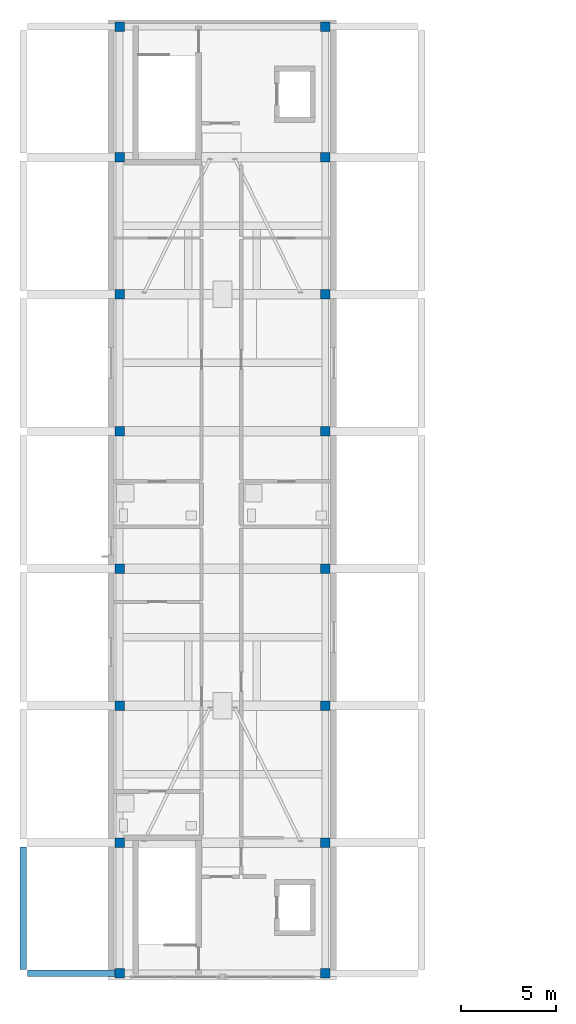
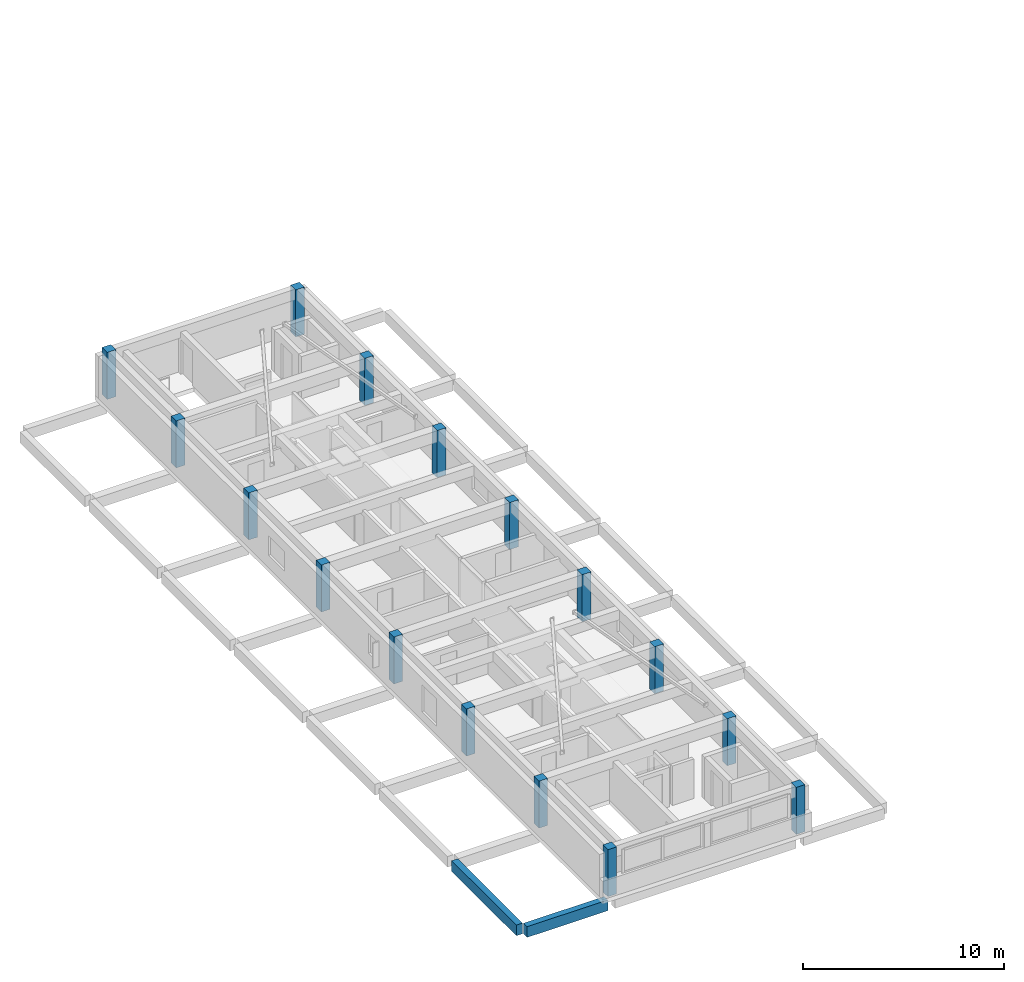
# One storey, part 1 of 9: 16 columns, 2 beams.
"""IFC4 building model written with IfcOpenShell, lengths in metres."""

from ifc_helpers import new_model, si_unit, derived_unit, direction, frame, origin, origin_2d, place, context, subcontext, project, spatial, rectangle, extrude, material, material_profile, profile_set, type_object, element, save


model = new_model("IFC4")

# Units and contexts
model_context = context("Model", 3, precision=1e-05, world=origin(), true_north=direction((0.0, 1.0)))
body_context = subcontext(model_context, "Body", "Model", "MODEL_VIEW")
ifc_project = project(units=[si_unit("LENGTHUNIT", "METRE"), si_unit("AREAUNIT", "SQUARE_METRE"), si_unit("VOLUMEUNIT", "CUBIC_METRE"), si_unit("PLANEANGLEUNIT", "RADIAN"), si_unit("MASSUNIT", "GRAM", prefix="KILO"), derived_unit("THERMALTRANSMITTANCEUNIT", [(si_unit("MASSUNIT", "GRAM", prefix="KILO"), 1), (si_unit("TIMEUNIT", "SECOND"), -3), (si_unit("THERMODYNAMICTEMPERATUREUNIT", "KELVIN"), -1)])], contexts=[model_context])

# Site, building, storey
site_placement = place(None, origin())
site = spatial("IfcSite", under=ifc_project, at=site_placement, CompositionType="ELEMENT")
building_placement = place(site_placement, origin())
building = spatial("IfcBuilding", under=site, at=building_placement, Name="Ochrekiln Boulevard Commons", CompositionType="ELEMENT")
storey_placement = place(building_placement, frame((0.0, 0.0, 46.72509765625)))
storey = spatial("IfcBuildingStorey", under=building, at=storey_placement, Name="L14", CompositionType="ELEMENT", Elevation=46.72509765625)

# Columns
ifc_material_1 = material(Name="Concrete C35/45", Category="concrete")
ifc_material_profile_1 = material_profile(ifc_material_1, rectangle(XDim=0.5, YDim=0.5, at=origin_2d()), Name="RC-COL-500x500")
ifc_profile_set_1 = profile_set([ifc_material_profile_1], Name="Concrete C35/45")
column_type = type_object("IfcColumnType", Name="COL-RC-500", PredefinedType="COLUMN", material=ifc_profile_set_1)
for number, where, z_axis, x_axis, name in (
    (1, (5.39990234375, 68.75, 0.0), (0.0, 0.0, 1.0), (1.0, 0.0, 0.0), "Block A L14 Column C-500 (9)"),
    (2, (5.39990234375, 75.60009765625, 0.0), (0.0, 0.0, 1.0), (1.0, 0.0, 0.0), "Block A L14 Column C-500 (10)"),
    (3, (5.39990234375, 82.800048828125, 0.0), (0.0, 0.0, 1.0), (1.0, 0.0, 0.0), "Block A L14 Column C-500 (11)"),
    (4, (5.39990234375, 90.0, 0.0), (0.0, 0.0, 1.0), (1.0, 0.0, 0.0), "Block A L14 Column C-500 (12)"),
    (5, (5.39990234375, 97.199951171875, 0.0), (0.0, 0.0, 1.0), (1.0, 0.0, 0.0), "Block A L14 Column C-500 (13)"),
    (6, (5.39990234375, 104.39990234375, 0.0), (0.0, 0.0, 1.0), (1.0, 0.0, 0.0), "Block A L14 Column C-500 (14)"),
    (7, (5.39990234375, 111.60009765625, 0.0), (0.0, 0.0, 1.0), (1.0, 0.0, 0.0), "Block A L14 Column C-500 (15)"),
    (8, (5.39990234375, 118.449951171875, 0.0), (0.0, 0.0, 1.0), (1.0, 0.0, 0.0), "Block A L14 Column C-500 (16)"),
    (9, (16.199951171875, 68.75, 0.0), (0.0, 0.0, 1.0), (1.0, 0.0, 0.0), "Block A L14 Column C-500 (17)"),
    (10, (16.199951171875, 75.60009765625, 0.0), (0.0, 0.0, 1.0), (1.0, 0.0, 0.0), "Block A L14 Column C-500 (18)"),
    (11, (16.199951171875, 82.800048828125, 0.0), (0.0, 0.0, 1.0), (1.0, 0.0, 0.0), "Block A L14 Column C-500 (19)"),
    (12, (16.199951171875, 90.0, 0.0), (0.0, 0.0, 1.0), (1.0, 0.0, 0.0), "Block A L14 Column C-500 (20)"),
    (13, (16.199951171875, 97.199951171875, 0.0), (0.0, 0.0, 1.0), (1.0, 0.0, 0.0), "Block A L14 Column C-500 (21)"),
    (14, (16.199951171875, 104.39990234375, 0.0), (0.0, 0.0, 1.0), (1.0, 0.0, 0.0), "Block A L14 Column C-500 (22)"),
    (15, (16.199951171875, 111.60009765625, 0.0), (0.0, 0.0, 1.0), (1.0, 0.0, 0.0), "Block A L14 Column C-500 (23)"),
    (16, (16.199951171875, 118.449951171875, 0.0), (0.0, 0.0, 1.0), (1.0, 0.0, 0.0), "Block A L14 Column C-500 (24)"),
):
    element("IfcColumn", number, at=place(storey_placement, frame(where, z_axis=z_axis, x_axis=x_axis)), inside=storey, type_object=column_type, Name=name, PredefinedType="COLUMN", context=body_context, shape_type="SweptSolid", body=[
        extrude(rectangle(XDim=0.5, YDim=0.5, at=origin_2d()), origin(), (0.0, 0.0, 1.0), 2.849853515625),
    ])

# Beams
ifc_material_2 = material(Name="Concrete C40/50", Category="concrete")
ifc_material_profile_2 = material_profile(ifc_material_2, rectangle(XDim=0.35009765625, YDim=0.64990234375, at=origin_2d()), Name="RC-SPN-350x650")
ifc_profile_set_2 = profile_set([ifc_material_profile_2], Name="Concrete C40/50")
beam_type = type_object("IfcBeamType", Name="SPN-RC-350x650", PredefinedType="SPANDREL", material=ifc_profile_set_2)
beam_1_placement = place(storey_placement, frame((0.56005859375, 68.75, -0.5751953125), z_axis=(1.0, 0.0, 0.0), x_axis=(0.0, 1.0, 0.0)))
element("IfcBeam", 17, at=beam_1_placement, inside=storey, type_object=beam_type, Name="Block A L14 Beam SP-3565 X1", PredefinedType="SPANDREL", context=body_context, shape_type="SweptSolid", body=[
    extrude(rectangle(XDim=0.35009765625, YDim=0.64990234375, at=origin_2d()), origin(), (0.0, 0.0, 1.0), 4.6298828125),
])
beam_2_placement = place(storey_placement, frame((0.35009765625, 68.9599609375, -0.5751953125), z_axis=(0.0, 1.0, 0.0), x_axis=(-1.0, 0.0, 0.0)))
element("IfcBeam", 18, at=beam_2_placement, inside=storey, type_object=beam_type, Name="Block A L14 Beam SP-3565 Y23", PredefinedType="SPANDREL", context=body_context, shape_type="SweptSolid", body=[
    extrude(rectangle(XDim=0.35009765625, YDim=0.64990234375, at=origin_2d()), origin(), (0.0, 0.0, 1.0), 6.429931640625),
])

save(model, "model.ifc")
